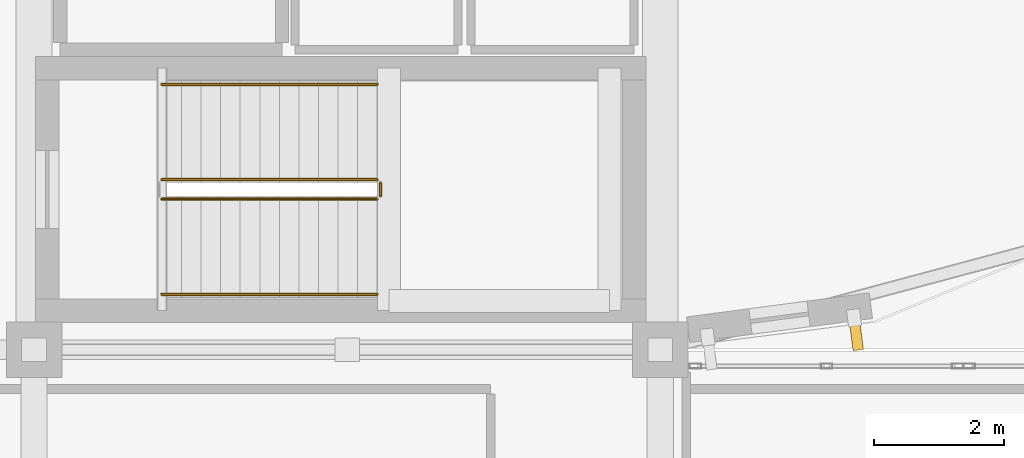
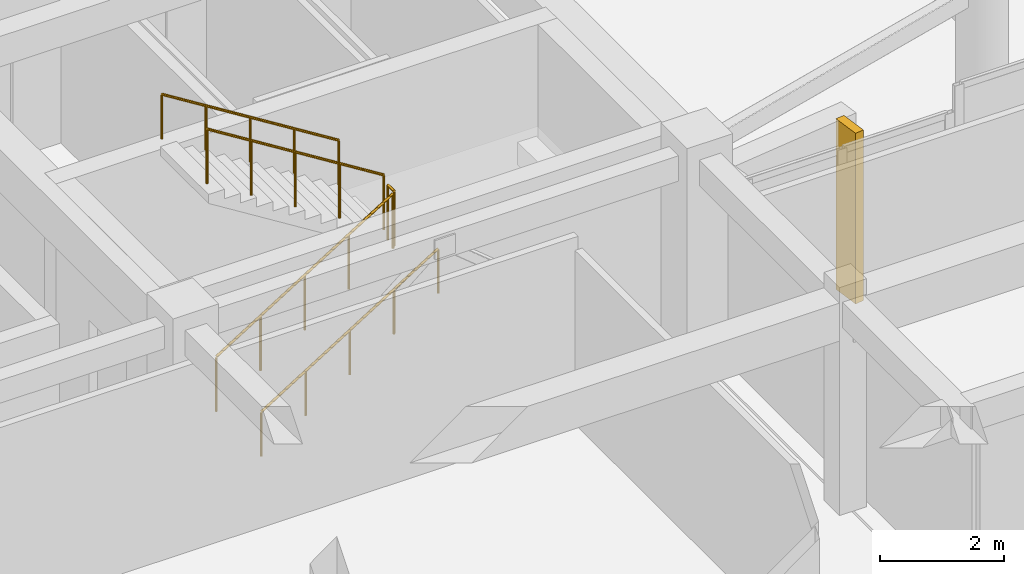
# One storey, part 89 of 92: 5 railings, 1 covering.
"""IFC4 building model written with IfcOpenShell, lengths in metres."""

from ifc_helpers import new_model, si_unit, direction, frame, origin, origin_2d, place, context, subcontext, project, spatial, rectangle, circle, extrude, material, layer, layer_set, type_object, element, save


model = new_model("IFC4")

# Units and contexts
model_context = context("Model", 3, precision=1e-05, world=origin(), true_north=direction((0.0, 1.0)))
body_context = subcontext(model_context, "Body", "Model", "MODEL_VIEW")
ifc_project = project(units=[si_unit("LENGTHUNIT", "METRE"), si_unit("AREAUNIT", "SQUARE_METRE"), si_unit("VOLUMEUNIT", "CUBIC_METRE"), si_unit("PLANEANGLEUNIT", "RADIAN"), si_unit("MASSUNIT", "GRAM", prefix="KILO")], contexts=[model_context])

# Site, building, storey
site_placement = place(None, origin())
site = spatial("IfcSite", under=ifc_project, at=site_placement, CompositionType="ELEMENT")
building_placement = place(site_placement, origin())
building = spatial("IfcBuilding", under=site, at=building_placement, Name="Tarnavel Promenade Courthouse", CompositionType="ELEMENT")
storey_placement = place(building_placement, frame((0.0, 0.0, 5.39990234375)))
storey = spatial("IfcBuildingStorey", under=building, at=storey_placement, Name="L02", CompositionType="ELEMENT", Elevation=5.39990234375)

# Railings
ifc_material_1 = material(Name="Brushed Bronze Tubular Stair Handrail")
railing_type_1 = type_object("IfcRailingType", Name="Brushed Bronze Tubular Stair Handrail (RL-HND-0900)", PredefinedType="HANDRAIL", material=ifc_material_1)
railing_1_placement = place(storey_placement, frame((94.360107421875, 80.050048828125, 0.1875)))
element("IfcRailing", 1, at=railing_1_placement, inside=storey, type_object=railing_type_1, Name="L02 ST-02 stair handrail 1", PredefinedType="HANDRAIL", context=body_context, shape_type="SweptSolid", body=[
    extrude(circle(Radius=0.02392578125, at=origin_2d()), frame((0.0, 0.0, 0.8759765625), z_axis=(0.847984204989, 0.0, 0.530021497762), x_axis=(0.0, 1.0, 0.0)), (0.0, 0.0, 1.0), 3.891357421875),
    extrude(circle(Radius=0.02099609375, at=origin_2d()), origin(), (0.0, 0.0, 1.0), 0.851806640625),
    extrude(circle(Radius=0.02099609375, at=origin_2d()), frame((0.824951171875, 0.0, 0.515625)), (0.0, 0.0, 1.0), 0.851806640625),
    extrude(circle(Radius=0.02099609375, at=origin_2d()), frame((1.64990234375, 0.0, 1.03125)), (0.0, 0.0, 1.0), 0.851806640625),
    extrude(circle(Radius=0.02099609375, at=origin_2d()), frame((2.474853515625, 0.0, 1.546875)), (0.0, 0.0, 1.0), 0.851806640625),
    extrude(circle(Radius=0.02099609375, at=origin_2d()), frame((3.2998046875, 0.0, 2.0625)), (0.0, 0.0, 1.0), 0.851806640625),
])
railing_2_placement = place(storey_placement, frame((97.659912109375, 83.27001953125, 2.4375)))
element("IfcRailing", 2, at=railing_2_placement, inside=storey, type_object=railing_type_1, Name="L02 ST-02 stair handrail 2", PredefinedType="HANDRAIL", context=body_context, shape_type="SweptSolid", body=[
    extrude(circle(Radius=0.02392578125, at=origin_2d()), frame((0.0, 0.0, 0.8759765625), z_axis=(-0.847984204989, 0.0, 0.530021497762), x_axis=(0.0, -1.0, 0.0)), (0.0, 0.0, 1.0), 3.891357421875),
    extrude(circle(Radius=0.02099609375, at=origin_2d()), origin(), (0.0, 0.0, 1.0), 0.851806640625),
    extrude(circle(Radius=0.02099609375, at=origin_2d()), frame((-0.824951171875, 0.0, 0.515625)), (0.0, 0.0, 1.0), 0.851806640625),
    extrude(circle(Radius=0.02099609375, at=origin_2d()), frame((-1.64990234375, 0.0, 1.03125)), (0.0, 0.0, 1.0), 0.851806640625),
    extrude(circle(Radius=0.02099609375, at=origin_2d()), frame((-2.474853515625, 0.0, 1.546875)), (0.0, 0.0, 1.0), 0.851806640625),
    extrude(circle(Radius=0.02099609375, at=origin_2d()), frame((-3.2998046875, 0.0, 2.0625)), (0.0, 0.0, 1.0), 0.851806640625),
])
ifc_material_2 = material(Name="Painted Architectural Steel Core Stair Guardrail", Category="steel")
railing_type_2 = type_object("IfcRailingType", Name="Painted Architectural Steel Core Stair Guardrail (RL-GRD-1100)", PredefinedType="GUARDRAIL", material=ifc_material_2)
railing_3_placement = place(storey_placement, frame((94.360107421875, 81.510009765625, 0.1875)))
element("IfcRailing", 3, at=railing_3_placement, inside=storey, type_object=railing_type_2, Name="L02 ST-02 stair guard 1", PredefinedType="GUARDRAIL", context=body_context, shape_type="SweptSolid", body=[
    extrude(circle(Radius=0.02392578125, at=origin_2d()), frame((0.0, 0.0, 1.076171875), z_axis=(0.847984204989, 0.0, 0.530021497762), x_axis=(0.0, 1.0, 0.0)), (0.0, 0.0, 1.0), 3.891357421875),
    extrude(circle(Radius=0.02099609375, at=origin_2d()), origin(), (0.0, 0.0, 1.0), 1.052001953125),
    extrude(circle(Radius=0.02099609375, at=origin_2d()), frame((0.824951171875, 0.0, 0.515625)), (0.0, 0.0, 1.0), 1.052001953125),
    extrude(circle(Radius=0.02099609375, at=origin_2d()), frame((1.64990234375, 0.0, 1.03125)), (0.0, 0.0, 1.0), 1.052001953125),
    extrude(circle(Radius=0.02099609375, at=origin_2d()), frame((2.474853515625, 0.0, 1.546875)), (0.0, 0.0, 1.0), 1.052001953125),
    extrude(circle(Radius=0.02099609375, at=origin_2d()), frame((3.2998046875, 0.0, 2.0625)), (0.0, 0.0, 1.0), 1.052001953125),
])
railing_4_placement = place(storey_placement, frame((97.7099609375, 81.56005859375, 2.25)))
element("IfcRailing", 4, at=railing_4_placement, inside=storey, type_object=railing_type_2, Name="L02 ST-02 stair guard 2", PredefinedType="GUARDRAIL", context=body_context, shape_type="SweptSolid", body=[
    extrude(circle(Radius=0.02392578125, at=origin_2d()), frame((0.0, 0.0, 1.076171875), z_axis=(0.0, 1.0, 0.0), x_axis=(-1.0, 0.0, 0.0)), (0.0, 0.0, 1.0), 0.199951171875),
    extrude(circle(Radius=0.02099609375, at=origin_2d()), origin(), (0.0, 0.0, 1.0), 1.052001953125),
    extrude(circle(Radius=0.02099609375, at=origin_2d()), frame((0.0, 0.199951171875, 0.0)), (0.0, 0.0, 1.0), 1.052001953125),
])
railing_5_placement = place(storey_placement, frame((97.659912109375, 81.81005859375, 2.4375)))
element("IfcRailing", 5, at=railing_5_placement, inside=storey, type_object=railing_type_2, Name="L02 ST-02 stair guard 3", PredefinedType="GUARDRAIL", context=body_context, shape_type="SweptSolid", body=[
    extrude(circle(Radius=0.02392578125, at=origin_2d()), frame((0.0, 0.0, 1.076171875), z_axis=(-0.847984204989, 0.0, 0.530021497762), x_axis=(0.0, -1.0, 0.0)), (0.0, 0.0, 1.0), 3.891357421875),
    extrude(circle(Radius=0.02099609375, at=origin_2d()), origin(), (0.0, 0.0, 1.0), 1.052001953125),
    extrude(circle(Radius=0.02099609375, at=origin_2d()), frame((-0.824951171875, 0.0, 0.515625)), (0.0, 0.0, 1.0), 1.052001953125),
    extrude(circle(Radius=0.02099609375, at=origin_2d()), frame((-1.64990234375, 0.0, 1.03125)), (0.0, 0.0, 1.0), 1.052001953125),
    extrude(circle(Radius=0.02099609375, at=origin_2d()), frame((-2.474853515625, 0.0, 1.546875)), (0.0, 0.0, 1.0), 1.052001953125),
    extrude(circle(Radius=0.02099609375, at=origin_2d()), frame((-3.2998046875, 0.0, 2.0625)), (0.0, 0.0, 1.0), 1.052001953125),
])

# Covering
ifc_material_3 = material(Name="Patinated Copper-Bronze Fluted Pier Cladding")
ifc_layer = layer(ifc_material_3, 0.52001953125)
ifc_layer_set = layer_set([ifc_layer], Name="Patinated Copper-Bronze Fluted Pier Cladding")
covering_type = type_object("IfcCoveringType", Name="Patinated Copper-Bronze Fluted Pier Cladding COV-PIER-520 (520 mm)", PredefinedType="CLADDING", material=ifc_layer_set)
covering_placement = place(storey_placement, frame((105.001708984375, 79.4541015625, 0.0), z_axis=(0.0, 0.0, 1.0), x_axis=(0.991444861374, 0.13052619222, 0.0)))
element("IfcCovering", 6, at=covering_placement, inside=storey, type_object=covering_type, Name="L02 E Drum Fluted Copper Pier 0052", PredefinedType="CLADDING", context=body_context, shape_type="SweptSolid", body=[
    extrude(rectangle(XDim=0.159912109375, YDim=0.52001953125, at=origin_2d()), origin(), (0.0, 0.0, 1.0), 3.3701171875),
])

save(model, "model.ifc")
